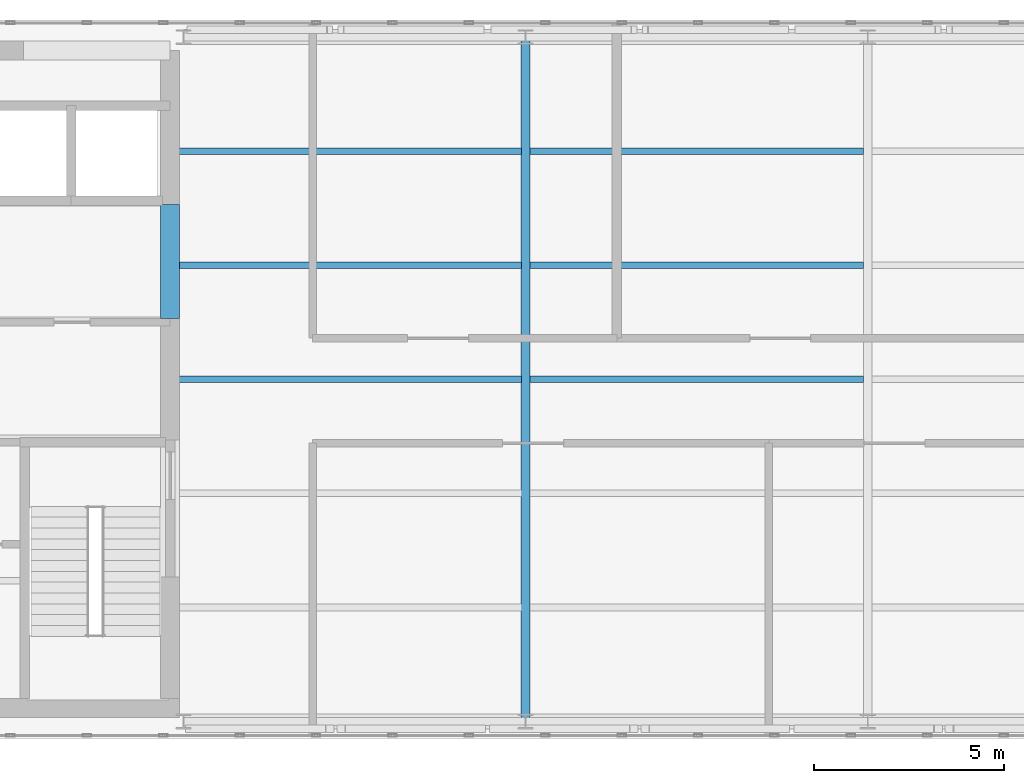
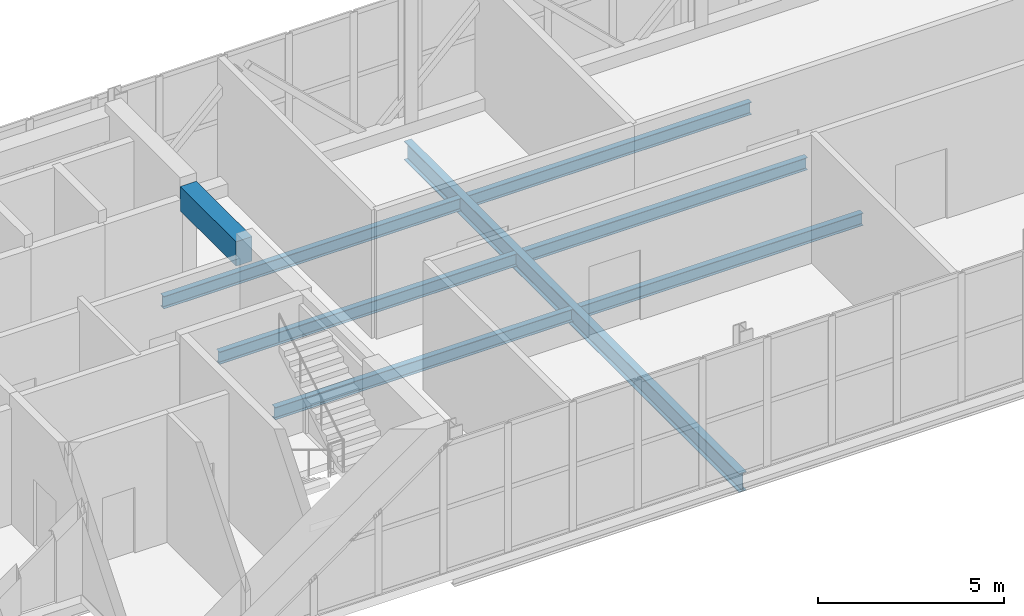
# One storey, part 9 of 21: 8 beams.
"""IFC4 building model written with IfcOpenShell, lengths in metres."""

from ifc_helpers import new_model, si_unit, direction, frame, origin, origin_2d, place, context, subcontext, project, spatial, rectangle, i_section, extrude, material, material_profile, profile_set, type_object, element, save


model = new_model("IFC4")

# Units and contexts
model_context = context("Model", 3, precision=1e-05, world=origin(), true_north=direction((0.0, 1.0)))
body_context = subcontext(model_context, "Body", "Model", "MODEL_VIEW")
ifc_project = project(units=[si_unit("LENGTHUNIT", "METRE"), si_unit("AREAUNIT", "SQUARE_METRE"), si_unit("VOLUMEUNIT", "CUBIC_METRE"), si_unit("PLANEANGLEUNIT", "RADIAN"), si_unit("MASSUNIT", "GRAM", prefix="KILO")], contexts=[model_context])

# Site, building, storey
site_placement = place(None, origin())
site = spatial("IfcSite", under=ifc_project, at=site_placement, CompositionType="ELEMENT")
building_placement = place(site_placement, origin())
building = spatial("IfcBuilding", under=site, at=building_placement, Name="Mawjdan Bourse Tower", CompositionType="ELEMENT")
storey_placement = place(building_placement, frame((0.0, 0.0, 313.199951171875)))
storey = spatial("IfcBuildingStorey", under=building, at=storey_placement, Name="L77", CompositionType="ELEMENT", Elevation=313.199951171875)

# Beams
ifc_material_1 = material(Name="Structural Steel S355", Category="steel")
ifc_material_profile_1 = material_profile(ifc_material_1, i_section(OverallWidth=0.22998046875, OverallDepth=0.616943359375, WebThickness=0.01318359375, FlangeThickness=0.022216796875, FilletRadius=0.017822265625, at=origin_2d()), Name="W24X94")
ifc_profile_set_1 = profile_set([ifc_material_profile_1], Name="Structural Steel S355")
beam_type_1 = type_object("IfcBeamType", Name="GRD-W24X94", PredefinedType="BEAM", material=ifc_profile_set_1)
beam_1_placement = place(storey_placement, frame((33.0, 3.0, -0.58837890625), z_axis=(0.0, 1.0, 0.0), x_axis=(-1.0, 0.0, 0.0)))
element("IfcBeam", 1, at=beam_1_placement, inside=storey, type_object=beam_type_1, Name="L77 East Wing Clear-Span Girder 002", PredefinedType="BEAM", context=body_context, shape_type="SweptSolid", body=[
    extrude(i_section(OverallWidth=0.22998046875, OverallDepth=0.616943359375, WebThickness=0.01318359375, FlangeThickness=0.022216796875, FilletRadius=0.017822265625, at=origin_2d()), origin(), (0.0, 0.0, 1.0), 18.0),
])
ifc_material_profile_2 = material_profile(ifc_material_1, i_section(OverallWidth=0.177978515625, OverallDepth=0.406982421875, WebThickness=0.0078125, FlangeThickness=0.0126953125, FilletRadius=0.01025390625, at=origin_2d()), Name="W16X40")
ifc_profile_set_2 = profile_set([ifc_material_profile_2], Name="Structural Steel S355")
beam_type_2 = type_object("IfcBeamType", Name="JST-W16X40", PredefinedType="JOIST", material=ifc_profile_set_2)
beam_2_placement = place(storey_placement, frame((23.64990234375, 12.0, -0.4833984375), z_axis=(1.0, 0.0, 0.0), x_axis=(0.0, 1.0, 0.0)))
element("IfcBeam", 2, at=beam_2_placement, inside=storey, type_object=beam_type_2, Name="L77 East Wing Composite Joist 017", PredefinedType="JOIST", context=body_context, shape_type="SweptSolid", body=[
    extrude(i_section(OverallWidth=0.177978515625, OverallDepth=0.406982421875, WebThickness=0.0078125, FlangeThickness=0.0126953125, FilletRadius=0.01025390625, at=origin_2d()), origin(), (0.0, 0.0, 1.0), 9.237060546875),
])
beam_3_placement = place(storey_placement, frame((33.113037109375, 12.0, -0.4833984375), z_axis=(1.0, 0.0, 0.0), x_axis=(0.0, 1.0, 0.0)))
element("IfcBeam", 3, at=beam_3_placement, inside=storey, type_object=beam_type_2, Name="L77 East Wing Composite Joist 018", PredefinedType="JOIST", context=body_context, shape_type="SweptSolid", body=[
    extrude(i_section(OverallWidth=0.177978515625, OverallDepth=0.406982421875, WebThickness=0.0078125, FlangeThickness=0.0126953125, FilletRadius=0.01025390625, at=origin_2d()), origin(), (0.0, 0.0, 1.0), 8.77392578125),
])
beam_4_placement = place(storey_placement, frame((23.64990234375, 15.0, -0.4833984375), z_axis=(1.0, 0.0, 0.0), x_axis=(0.0, 1.0, 0.0)))
element("IfcBeam", 4, at=beam_4_placement, inside=storey, type_object=beam_type_2, Name="L77 East Wing Composite Joist 020", PredefinedType="JOIST", context=body_context, shape_type="SweptSolid", body=[
    extrude(i_section(OverallWidth=0.177978515625, OverallDepth=0.406982421875, WebThickness=0.0078125, FlangeThickness=0.0126953125, FilletRadius=0.01025390625, at=origin_2d()), origin(), (0.0, 0.0, 1.0), 9.237060546875),
])
beam_5_placement = place(storey_placement, frame((33.113037109375, 15.0, -0.4833984375), z_axis=(1.0, 0.0, 0.0), x_axis=(0.0, 1.0, 0.0)))
element("IfcBeam", 5, at=beam_5_placement, inside=storey, type_object=beam_type_2, Name="L77 East Wing Composite Joist 021", PredefinedType="JOIST", context=body_context, shape_type="SweptSolid", body=[
    extrude(i_section(OverallWidth=0.177978515625, OverallDepth=0.406982421875, WebThickness=0.0078125, FlangeThickness=0.0126953125, FilletRadius=0.01025390625, at=origin_2d()), origin(), (0.0, 0.0, 1.0), 8.77392578125),
])
beam_6_placement = place(storey_placement, frame((23.64990234375, 18.0, -0.4833984375), z_axis=(1.0, 0.0, 0.0), x_axis=(0.0, 1.0, 0.0)))
element("IfcBeam", 6, at=beam_6_placement, inside=storey, type_object=beam_type_2, Name="L77 East Wing Composite Joist 023", PredefinedType="JOIST", context=body_context, shape_type="SweptSolid", body=[
    extrude(i_section(OverallWidth=0.177978515625, OverallDepth=0.406982421875, WebThickness=0.0078125, FlangeThickness=0.0126953125, FilletRadius=0.01025390625, at=origin_2d()), origin(), (0.0, 0.0, 1.0), 9.237060546875),
])
beam_7_placement = place(storey_placement, frame((33.113037109375, 18.0, -0.4833984375), z_axis=(1.0, 0.0, 0.0), x_axis=(0.0, 1.0, 0.0)))
element("IfcBeam", 7, at=beam_7_placement, inside=storey, type_object=beam_type_2, Name="L77 East Wing Composite Joist 024", PredefinedType="JOIST", context=body_context, shape_type="SweptSolid", body=[
    extrude(i_section(OverallWidth=0.177978515625, OverallDepth=0.406982421875, WebThickness=0.0078125, FlangeThickness=0.0126953125, FilletRadius=0.01025390625, at=origin_2d()), origin(), (0.0, 0.0, 1.0), 8.77392578125),
])
ifc_material_2 = material(Name="Concrete C70/85", Category="concrete")
ifc_material_profile_3 = material_profile(ifc_material_2, rectangle(XDim=0.5, YDim=0.800048828125, at=origin_2d()), Name="RCB500X800")
ifc_profile_set_3 = profile_set([ifc_material_profile_3], Name="Concrete C70/85")
beam_type_3 = type_object("IfcBeamType", Name="LNT-RCB500X800", PredefinedType="LINTEL", material=ifc_profile_set_3)
beam_8_placement = place(storey_placement, frame((23.64990234375, 13.60009765625, 3.820068359375), z_axis=(0.0, 1.0, 0.0), x_axis=(-1.0, 0.0, 0.0)))
element("IfcBeam", 8, at=beam_8_placement, inside=storey, type_object=beam_type_3, Name="L77 Coupled Core Lintel CB-E2", PredefinedType="LINTEL", context=body_context, shape_type="SweptSolid", body=[
    extrude(rectangle(XDim=0.5, YDim=0.800048828125, at=origin_2d()), origin(), (0.0, 0.0, 1.0), 3.0),
])

save(model, "model.ifc")
